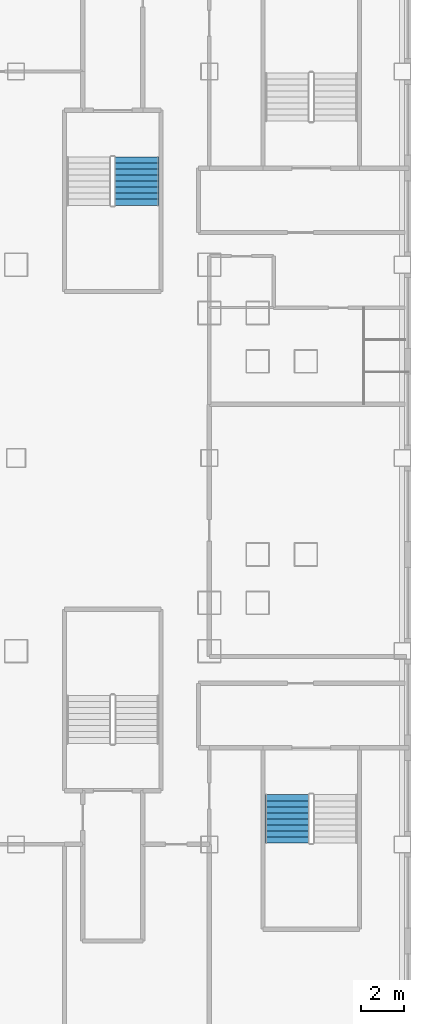
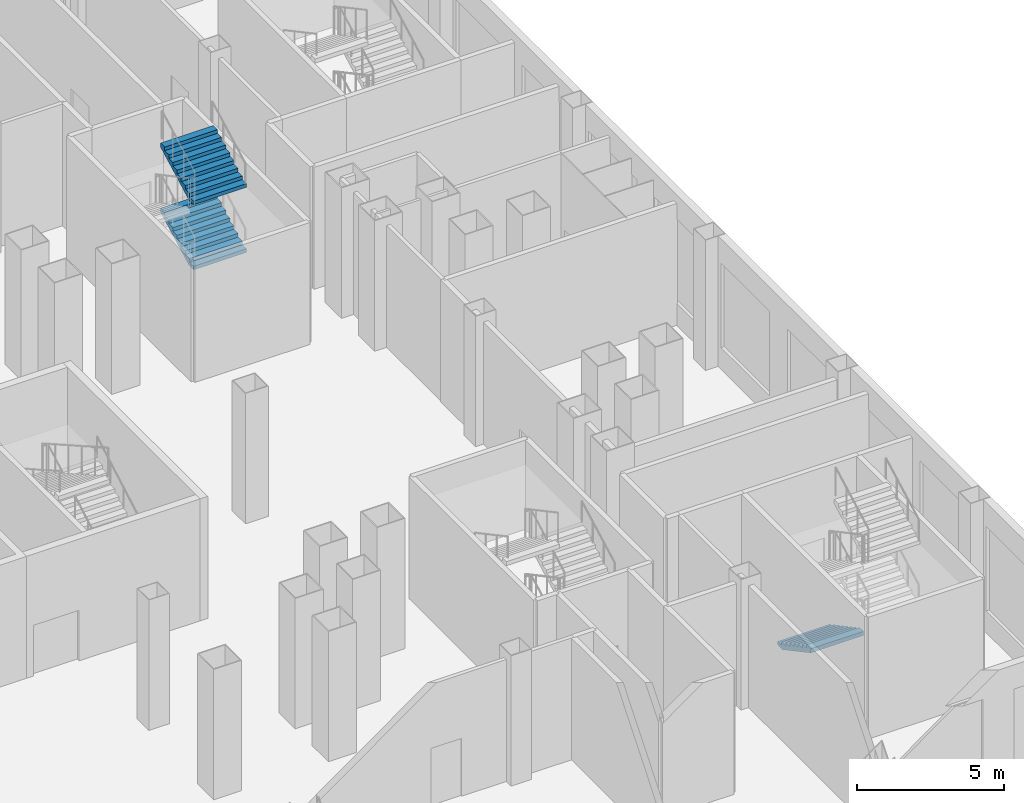
# One storey, part 18 of 26: 3 stair flights, 2 elements without a shape of their own.
"""IFC4 building model written with IfcOpenShell, lengths in metres."""

from ifc_helpers import new_model, si_unit, direction, frame, origin, place, context, subcontext, project, spatial, polygons, material, type_object, element, aggregate, save


model = new_model("IFC4")

# Units and contexts
model_context = context("Model", 3, precision=1e-05, world=origin(), true_north=direction((0.0, 1.0)))
body_context = subcontext(model_context, "Body", "Model", "MODEL_VIEW")
ifc_project = project(units=[si_unit("LENGTHUNIT", "METRE"), si_unit("AREAUNIT", "SQUARE_METRE"), si_unit("VOLUMEUNIT", "CUBIC_METRE"), si_unit("PLANEANGLEUNIT", "RADIAN"), si_unit("MASSUNIT", "GRAM", prefix="KILO")], contexts=[model_context])

# Site, building, storey
site_placement = place(None, origin())
site = spatial("IfcSite", under=ifc_project, at=site_placement, CompositionType="ELEMENT")
building_placement = place(site_placement, origin())
building = spatial("IfcBuilding", under=site, at=building_placement, Name="Caravel Reach Hotel and Residences", CompositionType="ELEMENT")
storey_placement = place(building_placement, frame((0.0, 0.0, 12.0)))
storey = spatial("IfcBuildingStorey", under=building, at=storey_placement, Name="L02", CompositionType="ELEMENT", Elevation=12.0)

# Stair, stair flights
ifc_material_1 = material(Name="Concrete C40", Category="concrete")
stair_type = type_object("IfcStairType", Name="Core stair", PredefinedType="HALF_TURN_STAIR", material=ifc_material_1)
stair_1_placement = place(storey_placement, origin())
stair_1 = element("IfcStair", 1, at=stair_1_placement, inside=storey, type_object=stair_type, Name="L02 Exit stair P2", PredefinedType="HALF_TURN_STAIR")
ifc_material_2 = material(Name="Concrete C40", Category="concrete")
stair_flight_type = type_object("IfcStairFlightType", Name="Core stair flight", PredefinedType="STRAIGHT", material=ifc_material_2)
stair_flight_1_placement = place(storey_placement, frame((55.110107421875, 38.77001953125, 1.35009765625), z_axis=(0.0, 0.0, 1.0), x_axis=(0.0, 1.0, 0.0)))
stair_flight_1 = element("IfcStairFlight", 2, at=stair_flight_1_placement, type_object=stair_flight_type, Name="ST-P2 flight 2", NumberOfRisers=9, NumberOfTreads=8, PredefinedType="STRAIGHT", RiserHeight=0.15, TreadLength=0.28, context=body_context, shape_type="Tessellation", body=[
    polygons([(0.3174408016601864, 1.0350341796875, 0.0), (0.3174408016601864, 0.6900227864583333, 0.0), (0.3174408016601864, 0.34501139322916663, 0.0), (0.3174408016601864, 0.0, 0.0), (0.3174408016601864, -0.34501139322916674, 0.0), (0.3174408016601864, -0.6900227864583333, 0.0), (0.3174408016601864, -1.0350341796875, 0.0), (2.241, 1.0350341796875, 1.029942427682043), (2.241, 0.6900227864583333, 1.029942427682043), (2.241, 0.34501139322916663, 1.029942427682043), (2.241, 0.0, 1.029942427682043), (2.241, -0.34501139322916674, 1.029942427682043), (2.241, -0.6900227864583333, 1.029942427682043), (2.241, -1.0350341796875, 1.029942427682043), (2.241, 1.0350341796875, 1.2), (2.241, 0.6900227864583333, 1.2), (2.241, 0.34501139322916663, 1.2), (2.241, 0.0, 1.2), (2.241, -0.34501139322916674, 1.2), (2.241, -0.6900227864583333, 1.2), (2.241, -1.0350341796875, 1.2), (1.9600000000000002, 1.0350341796875, 1.2), (1.9600000000000002, 0.6900227864583333, 1.2), (1.9600000000000002, 0.34501139322916663, 1.2), (1.9600000000000002, 0.0, 1.2), (1.9600000000000002, -0.34501139322916674, 1.2), (1.9600000000000002, -0.6900227864583333, 1.2), (1.9600000000000002, -1.0350341796875, 1.2), (1.9600000000000002, 1.0350341796875, 1.05), (1.9600000000000002, 0.6900227864583333, 1.05), (1.9600000000000002, 0.34501139322916663, 1.05), (1.9600000000000002, 0.0, 1.05), (1.9600000000000002, -0.34501139322916674, 1.05), (1.9600000000000002, -0.6900227864583333, 1.05), (1.9600000000000002, -1.0350341796875, 1.05), (1.6800000000000002, 1.0350341796875, 1.05), (1.6800000000000002, 0.6900227864583333, 1.05), (1.6800000000000002, 0.34501139322916663, 1.05), (1.6800000000000002, 0.0, 1.05), (1.6800000000000002, -0.34501139322916674, 1.05), (1.6800000000000002, -0.6900227864583333, 1.05), (1.6800000000000002, -1.0350341796875, 1.05), (1.6800000000000002, 1.0350341796875, 0.8999999999999999), (1.6800000000000002, 0.6900227864583333, 0.8999999999999999), (1.6800000000000002, 0.34501139322916663, 0.8999999999999999), (1.6800000000000002, 0.0, 0.8999999999999999), (1.6800000000000002, -0.34501139322916674, 0.8999999999999999), (1.6800000000000002, -0.6900227864583333, 0.8999999999999999), (1.6800000000000002, -1.0350341796875, 0.8999999999999999), (1.4000000000000001, 1.0350341796875, 0.8999999999999999), (1.4000000000000001, 0.6900227864583333, 0.8999999999999999), (1.4000000000000001, 0.34501139322916663, 0.8999999999999999), (1.4000000000000001, 0.0, 0.8999999999999999), (1.4000000000000001, -0.34501139322916674, 0.8999999999999999), (1.4000000000000001, -0.6900227864583333, 0.8999999999999999), (1.4000000000000001, -1.0350341796875, 0.8999999999999999), (1.4000000000000001, 1.0350341796875, 0.75), (1.4000000000000001, 0.6900227864583333, 0.75), (1.4000000000000001, 0.34501139322916663, 0.75), (1.4000000000000001, 0.0, 0.75), (1.4000000000000001, -0.34501139322916674, 0.75), (1.4000000000000001, -0.6900227864583333, 0.75), (1.4000000000000001, -1.0350341796875, 0.75), (1.12, 1.0350341796875, 0.75), (1.12, 0.6900227864583333, 0.75), (1.12, 0.34501139322916663, 0.75), (1.12, 0.0, 0.75), (1.12, -0.34501139322916674, 0.75), (1.12, -0.6900227864583333, 0.75), (1.12, -1.0350341796875, 0.75), (1.12, 1.0350341796875, 0.6), (1.12, 0.6900227864583333, 0.6), (1.12, 0.34501139322916663, 0.6), (1.12, 0.0, 0.6), (1.12, -0.34501139322916674, 0.6), (1.12, -0.6900227864583333, 0.6), (1.12, -1.0350341796875, 0.6), (0.8400000000000001, 1.0350341796875, 0.6), (0.8400000000000001, 0.6900227864583333, 0.6), (0.8400000000000001, 0.34501139322916663, 0.6), (0.8400000000000001, 0.0, 0.6), (0.8400000000000001, -0.34501139322916674, 0.6), (0.8400000000000001, -0.6900227864583333, 0.6), (0.8400000000000001, -1.0350341796875, 0.6), (0.8400000000000001, 1.0350341796875, 0.44999999999999996), (0.8400000000000001, 0.6900227864583333, 0.44999999999999996), (0.8400000000000001, 0.34501139322916663, 0.44999999999999996), (0.8400000000000001, 0.0, 0.44999999999999996), (0.8400000000000001, -0.34501139322916674, 0.44999999999999996), (0.8400000000000001, -0.6900227864583333, 0.44999999999999996), (0.8400000000000001, -1.0350341796875, 0.44999999999999996), (0.56, 1.0350341796875, 0.44999999999999996), (0.56, 0.6900227864583333, 0.44999999999999996), (0.56, 0.34501139322916663, 0.44999999999999996), (0.56, 0.0, 0.44999999999999996), (0.56, -0.34501139322916674, 0.44999999999999996), (0.56, -0.6900227864583333, 0.44999999999999996), (0.56, -1.0350341796875, 0.44999999999999996), (0.56, 1.0350341796875, 0.3), (0.56, 0.6900227864583333, 0.3), (0.56, 0.34501139322916663, 0.3), (0.56, 0.0, 0.3), (0.56, -0.34501139322916674, 0.3), (0.56, -0.6900227864583333, 0.3), (0.56, -1.0350341796875, 0.3), (0.28, 1.0350341796875, 0.3), (0.28, 0.6900227864583333, 0.3), (0.28, 0.34501139322916663, 0.3), (0.28, 0.0, 0.3), (0.28, -0.34501139322916674, 0.3), (0.28, -0.6900227864583333, 0.3), (0.28, -1.0350341796875, 0.3), (0.28, 1.0350341796875, 0.15), (0.28, 0.6900227864583333, 0.15), (0.28, 0.34501139322916663, 0.15), (0.28, 0.0, 0.15), (0.28, -0.34501139322916674, 0.15), (0.28, -0.6900227864583333, 0.15), (0.28, -1.0350341796875, 0.15), (-0.001, 1.0350341796875, 0.15), (-0.001, 0.6900227864583333, 0.15), (-0.001, 0.34501139322916663, 0.15), (-0.001, 0.0, 0.15), (-0.001, -0.34501139322916674, 0.15), (-0.001, -0.6900227864583333, 0.15), (-0.001, -1.0350341796875, 0.15), (-0.001, 1.0350341796875, 0.0), (-0.001, 0.6900227864583333, 0.0), (-0.001, 0.34501139322916663, 0.0), (-0.001, 0.0, 0.0), (-0.001, -0.34501139322916674, 0.0), (-0.001, -0.6900227864583333, 0.0), (-0.001, -1.0350341796875, 0.0)], [[[127, 120, 113, 106, 99, 92, 85, 78, 71, 64, 57, 50, 43, 36, 29, 22, 15, 8, 1]], [[7, 14, 21, 28, 35, 42, 49, 56, 63, 70, 77, 84, 91, 98, 105, 112, 119, 126, 133]], [[1, 8, 9, 2]], [[2, 9, 10, 3]], [[3, 10, 11, 4]], [[4, 11, 12, 5]], [[5, 12, 13, 6]], [[6, 13, 14, 7]], [[8, 15, 16, 9]], [[9, 16, 17, 10]], [[10, 17, 18, 11]], [[11, 18, 19, 12]], [[12, 19, 20, 13]], [[13, 20, 21, 14]], [[15, 22, 23, 16]], [[16, 23, 24, 17]], [[17, 24, 25, 18]], [[18, 25, 26, 19]], [[19, 26, 27, 20]], [[20, 27, 28, 21]], [[22, 29, 30, 23]], [[23, 30, 31, 24]], [[24, 31, 32, 25]], [[25, 32, 33, 26]], [[26, 33, 34, 27]], [[27, 34, 35, 28]], [[29, 36, 37, 30]], [[30, 37, 38, 31]], [[31, 38, 39, 32]], [[32, 39, 40, 33]], [[33, 40, 41, 34]], [[34, 41, 42, 35]], [[36, 43, 44, 37]], [[37, 44, 45, 38]], [[38, 45, 46, 39]], [[39, 46, 47, 40]], [[40, 47, 48, 41]], [[41, 48, 49, 42]], [[43, 50, 51, 44]], [[44, 51, 52, 45]], [[45, 52, 53, 46]], [[46, 53, 54, 47]], [[47, 54, 55, 48]], [[48, 55, 56, 49]], [[50, 57, 58, 51]], [[51, 58, 59, 52]], [[52, 59, 60, 53]], [[53, 60, 61, 54]], [[54, 61, 62, 55]], [[55, 62, 63, 56]], [[57, 64, 65, 58]], [[58, 65, 66, 59]], [[59, 66, 67, 60]], [[60, 67, 68, 61]], [[61, 68, 69, 62]], [[62, 69, 70, 63]], [[64, 71, 72, 65]], [[65, 72, 73, 66]], [[66, 73, 74, 67]], [[67, 74, 75, 68]], [[68, 75, 76, 69]], [[69, 76, 77, 70]], [[71, 78, 79, 72]], [[72, 79, 80, 73]], [[73, 80, 81, 74]], [[74, 81, 82, 75]], [[75, 82, 83, 76]], [[76, 83, 84, 77]], [[78, 85, 86, 79]], [[79, 86, 87, 80]], [[80, 87, 88, 81]], [[81, 88, 89, 82]], [[82, 89, 90, 83]], [[83, 90, 91, 84]], [[85, 92, 93, 86]], [[86, 93, 94, 87]], [[87, 94, 95, 88]], [[88, 95, 96, 89]], [[89, 96, 97, 90]], [[90, 97, 98, 91]], [[92, 99, 100, 93]], [[93, 100, 101, 94]], [[94, 101, 102, 95]], [[95, 102, 103, 96]], [[96, 103, 104, 97]], [[97, 104, 105, 98]], [[99, 106, 107, 100]], [[100, 107, 108, 101]], [[101, 108, 109, 102]], [[102, 109, 110, 103]], [[103, 110, 111, 104]], [[104, 111, 112, 105]], [[106, 113, 114, 107]], [[107, 114, 115, 108]], [[108, 115, 116, 109]], [[109, 116, 117, 110]], [[110, 117, 118, 111]], [[111, 118, 119, 112]], [[113, 120, 121, 114]], [[114, 121, 122, 115]], [[115, 122, 123, 116]], [[116, 123, 124, 117]], [[117, 124, 125, 118]], [[118, 125, 126, 119]], [[120, 127, 128, 121]], [[121, 128, 129, 122]], [[122, 129, 130, 123]], [[123, 130, 131, 124]], [[124, 131, 132, 125]], [[125, 132, 133, 126]], [[127, 1, 2, 128]], [[128, 2, 3, 129]], [[129, 3, 4, 130]], [[130, 4, 5, 131]], [[131, 5, 6, 132]], [[132, 6, 7, 133]]], closed=True),
])
stair_flight_2_placement = place(storey_placement, frame((55.110107421875, 38.77001953125, 4.050048828125), z_axis=(0.0, 0.0, 1.0), x_axis=(0.0, 1.0, 0.0)))
stair_flight_2 = element("IfcStairFlight", 3, at=stair_flight_2_placement, type_object=stair_flight_type, Name="ST-P2 flight 4", NumberOfRisers=9, NumberOfTreads=8, PredefinedType="STRAIGHT", RiserHeight=0.15, TreadLength=0.28, context=body_context, shape_type="Tessellation", body=[
    polygons([(0.3174408016601864, 1.0350341796875, 0.0), (0.3174408016601864, 0.6900227864583333, 0.0), (0.3174408016601864, 0.34501139322916663, 0.0), (0.3174408016601864, 0.0, 0.0), (0.3174408016601864, -0.34501139322916674, 0.0), (0.3174408016601864, -0.6900227864583333, 0.0), (0.3174408016601864, -1.0350341796875, 0.0), (2.241, 1.0350341796875, 1.029942427682043), (2.241, 0.6900227864583333, 1.029942427682043), (2.241, 0.34501139322916663, 1.029942427682043), (2.241, 0.0, 1.029942427682043), (2.241, -0.34501139322916674, 1.029942427682043), (2.241, -0.6900227864583333, 1.029942427682043), (2.241, -1.0350341796875, 1.029942427682043), (2.241, 1.0350341796875, 1.2), (2.241, 0.6900227864583333, 1.2), (2.241, 0.34501139322916663, 1.2), (2.241, 0.0, 1.2), (2.241, -0.34501139322916674, 1.2), (2.241, -0.6900227864583333, 1.2), (2.241, -1.0350341796875, 1.2), (1.9600000000000002, 1.0350341796875, 1.2), (1.9600000000000002, 0.6900227864583333, 1.2), (1.9600000000000002, 0.34501139322916663, 1.2), (1.9600000000000002, 0.0, 1.2), (1.9600000000000002, -0.34501139322916674, 1.2), (1.9600000000000002, -0.6900227864583333, 1.2), (1.9600000000000002, -1.0350341796875, 1.2), (1.9600000000000002, 1.0350341796875, 1.05), (1.9600000000000002, 0.6900227864583333, 1.05), (1.9600000000000002, 0.34501139322916663, 1.05), (1.9600000000000002, 0.0, 1.05), (1.9600000000000002, -0.34501139322916674, 1.05), (1.9600000000000002, -0.6900227864583333, 1.05), (1.9600000000000002, -1.0350341796875, 1.05), (1.6800000000000002, 1.0350341796875, 1.05), (1.6800000000000002, 0.6900227864583333, 1.05), (1.6800000000000002, 0.34501139322916663, 1.05), (1.6800000000000002, 0.0, 1.05), (1.6800000000000002, -0.34501139322916674, 1.05), (1.6800000000000002, -0.6900227864583333, 1.05), (1.6800000000000002, -1.0350341796875, 1.05), (1.6800000000000002, 1.0350341796875, 0.8999999999999999), (1.6800000000000002, 0.6900227864583333, 0.8999999999999999), (1.6800000000000002, 0.34501139322916663, 0.8999999999999999), (1.6800000000000002, 0.0, 0.8999999999999999), (1.6800000000000002, -0.34501139322916674, 0.8999999999999999), (1.6800000000000002, -0.6900227864583333, 0.8999999999999999), (1.6800000000000002, -1.0350341796875, 0.8999999999999999), (1.4000000000000001, 1.0350341796875, 0.8999999999999999), (1.4000000000000001, 0.6900227864583333, 0.8999999999999999), (1.4000000000000001, 0.34501139322916663, 0.8999999999999999), (1.4000000000000001, 0.0, 0.8999999999999999), (1.4000000000000001, -0.34501139322916674, 0.8999999999999999), (1.4000000000000001, -0.6900227864583333, 0.8999999999999999), (1.4000000000000001, -1.0350341796875, 0.8999999999999999), (1.4000000000000001, 1.0350341796875, 0.75), (1.4000000000000001, 0.6900227864583333, 0.75), (1.4000000000000001, 0.34501139322916663, 0.75), (1.4000000000000001, 0.0, 0.75), (1.4000000000000001, -0.34501139322916674, 0.75), (1.4000000000000001, -0.6900227864583333, 0.75), (1.4000000000000001, -1.0350341796875, 0.75), (1.12, 1.0350341796875, 0.75), (1.12, 0.6900227864583333, 0.75), (1.12, 0.34501139322916663, 0.75), (1.12, 0.0, 0.75), (1.12, -0.34501139322916674, 0.75), (1.12, -0.6900227864583333, 0.75), (1.12, -1.0350341796875, 0.75), (1.12, 1.0350341796875, 0.6), (1.12, 0.6900227864583333, 0.6), (1.12, 0.34501139322916663, 0.6), (1.12, 0.0, 0.6), (1.12, -0.34501139322916674, 0.6), (1.12, -0.6900227864583333, 0.6), (1.12, -1.0350341796875, 0.6), (0.8400000000000001, 1.0350341796875, 0.6), (0.8400000000000001, 0.6900227864583333, 0.6), (0.8400000000000001, 0.34501139322916663, 0.6), (0.8400000000000001, 0.0, 0.6), (0.8400000000000001, -0.34501139322916674, 0.6), (0.8400000000000001, -0.6900227864583333, 0.6), (0.8400000000000001, -1.0350341796875, 0.6), (0.8400000000000001, 1.0350341796875, 0.44999999999999996), (0.8400000000000001, 0.6900227864583333, 0.44999999999999996), (0.8400000000000001, 0.34501139322916663, 0.44999999999999996), (0.8400000000000001, 0.0, 0.44999999999999996), (0.8400000000000001, -0.34501139322916674, 0.44999999999999996), (0.8400000000000001, -0.6900227864583333, 0.44999999999999996), (0.8400000000000001, -1.0350341796875, 0.44999999999999996), (0.56, 1.0350341796875, 0.44999999999999996), (0.56, 0.6900227864583333, 0.44999999999999996), (0.56, 0.34501139322916663, 0.44999999999999996), (0.56, 0.0, 0.44999999999999996), (0.56, -0.34501139322916674, 0.44999999999999996), (0.56, -0.6900227864583333, 0.44999999999999996), (0.56, -1.0350341796875, 0.44999999999999996), (0.56, 1.0350341796875, 0.3), (0.56, 0.6900227864583333, 0.3), (0.56, 0.34501139322916663, 0.3), (0.56, 0.0, 0.3), (0.56, -0.34501139322916674, 0.3), (0.56, -0.6900227864583333, 0.3), (0.56, -1.0350341796875, 0.3), (0.28, 1.0350341796875, 0.3), (0.28, 0.6900227864583333, 0.3), (0.28, 0.34501139322916663, 0.3), (0.28, 0.0, 0.3), (0.28, -0.34501139322916674, 0.3), (0.28, -0.6900227864583333, 0.3), (0.28, -1.0350341796875, 0.3), (0.28, 1.0350341796875, 0.15), (0.28, 0.6900227864583333, 0.15), (0.28, 0.34501139322916663, 0.15), (0.28, 0.0, 0.15), (0.28, -0.34501139322916674, 0.15), (0.28, -0.6900227864583333, 0.15), (0.28, -1.0350341796875, 0.15), (-0.001, 1.0350341796875, 0.15), (-0.001, 0.6900227864583333, 0.15), (-0.001, 0.34501139322916663, 0.15), (-0.001, 0.0, 0.15), (-0.001, -0.34501139322916674, 0.15), (-0.001, -0.6900227864583333, 0.15), (-0.001, -1.0350341796875, 0.15), (-0.001, 1.0350341796875, 0.0), (-0.001, 0.6900227864583333, 0.0), (-0.001, 0.34501139322916663, 0.0), (-0.001, 0.0, 0.0), (-0.001, -0.34501139322916674, 0.0), (-0.001, -0.6900227864583333, 0.0), (-0.001, -1.0350341796875, 0.0)], [[[127, 120, 113, 106, 99, 92, 85, 78, 71, 64, 57, 50, 43, 36, 29, 22, 15, 8, 1]], [[7, 14, 21, 28, 35, 42, 49, 56, 63, 70, 77, 84, 91, 98, 105, 112, 119, 126, 133]], [[1, 8, 9, 2]], [[2, 9, 10, 3]], [[3, 10, 11, 4]], [[4, 11, 12, 5]], [[5, 12, 13, 6]], [[6, 13, 14, 7]], [[8, 15, 16, 9]], [[9, 16, 17, 10]], [[10, 17, 18, 11]], [[11, 18, 19, 12]], [[12, 19, 20, 13]], [[13, 20, 21, 14]], [[15, 22, 23, 16]], [[16, 23, 24, 17]], [[17, 24, 25, 18]], [[18, 25, 26, 19]], [[19, 26, 27, 20]], [[20, 27, 28, 21]], [[22, 29, 30, 23]], [[23, 30, 31, 24]], [[24, 31, 32, 25]], [[25, 32, 33, 26]], [[26, 33, 34, 27]], [[27, 34, 35, 28]], [[29, 36, 37, 30]], [[30, 37, 38, 31]], [[31, 38, 39, 32]], [[32, 39, 40, 33]], [[33, 40, 41, 34]], [[34, 41, 42, 35]], [[36, 43, 44, 37]], [[37, 44, 45, 38]], [[38, 45, 46, 39]], [[39, 46, 47, 40]], [[40, 47, 48, 41]], [[41, 48, 49, 42]], [[43, 50, 51, 44]], [[44, 51, 52, 45]], [[45, 52, 53, 46]], [[46, 53, 54, 47]], [[47, 54, 55, 48]], [[48, 55, 56, 49]], [[50, 57, 58, 51]], [[51, 58, 59, 52]], [[52, 59, 60, 53]], [[53, 60, 61, 54]], [[54, 61, 62, 55]], [[55, 62, 63, 56]], [[57, 64, 65, 58]], [[58, 65, 66, 59]], [[59, 66, 67, 60]], [[60, 67, 68, 61]], [[61, 68, 69, 62]], [[62, 69, 70, 63]], [[64, 71, 72, 65]], [[65, 72, 73, 66]], [[66, 73, 74, 67]], [[67, 74, 75, 68]], [[68, 75, 76, 69]], [[69, 76, 77, 70]], [[71, 78, 79, 72]], [[72, 79, 80, 73]], [[73, 80, 81, 74]], [[74, 81, 82, 75]], [[75, 82, 83, 76]], [[76, 83, 84, 77]], [[78, 85, 86, 79]], [[79, 86, 87, 80]], [[80, 87, 88, 81]], [[81, 88, 89, 82]], [[82, 89, 90, 83]], [[83, 90, 91, 84]], [[85, 92, 93, 86]], [[86, 93, 94, 87]], [[87, 94, 95, 88]], [[88, 95, 96, 89]], [[89, 96, 97, 90]], [[90, 97, 98, 91]], [[92, 99, 100, 93]], [[93, 100, 101, 94]], [[94, 101, 102, 95]], [[95, 102, 103, 96]], [[96, 103, 104, 97]], [[97, 104, 105, 98]], [[99, 106, 107, 100]], [[100, 107, 108, 101]], [[101, 108, 109, 102]], [[102, 109, 110, 103]], [[103, 110, 111, 104]], [[104, 111, 112, 105]], [[106, 113, 114, 107]], [[107, 114, 115, 108]], [[108, 115, 116, 109]], [[109, 116, 117, 110]], [[110, 117, 118, 111]], [[111, 118, 119, 112]], [[113, 120, 121, 114]], [[114, 121, 122, 115]], [[115, 122, 123, 116]], [[116, 123, 124, 117]], [[117, 124, 125, 118]], [[118, 125, 126, 119]], [[120, 127, 128, 121]], [[121, 128, 129, 122]], [[122, 129, 130, 123]], [[123, 130, 131, 124]], [[124, 131, 132, 125]], [[125, 132, 133, 126]], [[127, 1, 2, 128]], [[128, 2, 3, 129]], [[129, 3, 4, 130]], [[130, 4, 5, 131]], [[131, 5, 6, 132]], [[132, 6, 7, 133]]], closed=True),
])
aggregate(stair_1, [stair_flight_1, stair_flight_2])

# Stair, stair flight
stair_2_placement = place(storey_placement, origin())
stair_2 = element("IfcStair", 4, at=stair_2_placement, inside=storey, type_object=stair_type, Name="L02 Exit stair P7", PredefinedType="HALF_TURN_STAIR")
stair_flight_3_placement = place(storey_placement, frame((62.139892578125, 11.31005859375, 0.0), z_axis=(0.0, 0.0, 1.0), x_axis=(0.0, -1.0, 0.0)))
stair_flight_3 = element("IfcStairFlight", 5, at=stair_flight_3_placement, type_object=stair_flight_type, Name="ST-P7 flight 1", NumberOfRisers=9, NumberOfTreads=8, PredefinedType="STRAIGHT", RiserHeight=0.15, TreadLength=0.28, context=body_context, shape_type="Tessellation", body=[
    polygons([(0.3174408016601864, 1.0350341796875, 0.0), (0.3174408016601864, 0.6900227864583333, 0.0), (0.3174408016601864, 0.34501139322916663, 0.0), (0.3174408016601864, 0.0, 0.0), (0.3174408016601864, -0.34501139322916674, 0.0), (0.3174408016601864, -0.6900227864583333, 0.0), (0.3174408016601864, -1.0350341796875, 0.0), (2.241, 1.0350341796875, 1.029942427682043), (2.241, 0.6900227864583333, 1.029942427682043), (2.241, 0.34501139322916663, 1.029942427682043), (2.241, 0.0, 1.029942427682043), (2.241, -0.34501139322916674, 1.029942427682043), (2.241, -0.6900227864583333, 1.029942427682043), (2.241, -1.0350341796875, 1.029942427682043), (2.241, 1.0350341796875, 1.2), (2.241, 0.6900227864583333, 1.2), (2.241, 0.34501139322916663, 1.2), (2.241, 0.0, 1.2), (2.241, -0.34501139322916674, 1.2), (2.241, -0.6900227864583333, 1.2), (2.241, -1.0350341796875, 1.2), (1.9600000000000002, 1.0350341796875, 1.2), (1.9600000000000002, 0.6900227864583333, 1.2), (1.9600000000000002, 0.34501139322916663, 1.2), (1.9600000000000002, 0.0, 1.2), (1.9600000000000002, -0.34501139322916674, 1.2), (1.9600000000000002, -0.6900227864583333, 1.2), (1.9600000000000002, -1.0350341796875, 1.2), (1.9600000000000002, 1.0350341796875, 1.05), (1.9600000000000002, 0.6900227864583333, 1.05), (1.9600000000000002, 0.34501139322916663, 1.05), (1.9600000000000002, 0.0, 1.05), (1.9600000000000002, -0.34501139322916674, 1.05), (1.9600000000000002, -0.6900227864583333, 1.05), (1.9600000000000002, -1.0350341796875, 1.05), (1.6800000000000002, 1.0350341796875, 1.05), (1.6800000000000002, 0.6900227864583333, 1.05), (1.6800000000000002, 0.34501139322916663, 1.05), (1.6800000000000002, 0.0, 1.05), (1.6800000000000002, -0.34501139322916674, 1.05), (1.6800000000000002, -0.6900227864583333, 1.05), (1.6800000000000002, -1.0350341796875, 1.05), (1.6800000000000002, 1.0350341796875, 0.8999999999999999), (1.6800000000000002, 0.6900227864583333, 0.8999999999999999), (1.6800000000000002, 0.34501139322916663, 0.8999999999999999), (1.6800000000000002, 0.0, 0.8999999999999999), (1.6800000000000002, -0.34501139322916674, 0.8999999999999999), (1.6800000000000002, -0.6900227864583333, 0.8999999999999999), (1.6800000000000002, -1.0350341796875, 0.8999999999999999), (1.4000000000000001, 1.0350341796875, 0.8999999999999999), (1.4000000000000001, 0.6900227864583333, 0.8999999999999999), (1.4000000000000001, 0.34501139322916663, 0.8999999999999999), (1.4000000000000001, 0.0, 0.8999999999999999), (1.4000000000000001, -0.34501139322916674, 0.8999999999999999), (1.4000000000000001, -0.6900227864583333, 0.8999999999999999), (1.4000000000000001, -1.0350341796875, 0.8999999999999999), (1.4000000000000001, 1.0350341796875, 0.75), (1.4000000000000001, 0.6900227864583333, 0.75), (1.4000000000000001, 0.34501139322916663, 0.75), (1.4000000000000001, 0.0, 0.75), (1.4000000000000001, -0.34501139322916674, 0.75), (1.4000000000000001, -0.6900227864583333, 0.75), (1.4000000000000001, -1.0350341796875, 0.75), (1.12, 1.0350341796875, 0.75), (1.12, 0.6900227864583333, 0.75), (1.12, 0.34501139322916663, 0.75), (1.12, 0.0, 0.75), (1.12, -0.34501139322916674, 0.75), (1.12, -0.6900227864583333, 0.75), (1.12, -1.0350341796875, 0.75), (1.12, 1.0350341796875, 0.6), (1.12, 0.6900227864583333, 0.6), (1.12, 0.34501139322916663, 0.6), (1.12, 0.0, 0.6), (1.12, -0.34501139322916674, 0.6), (1.12, -0.6900227864583333, 0.6), (1.12, -1.0350341796875, 0.6), (0.8400000000000001, 1.0350341796875, 0.6), (0.8400000000000001, 0.6900227864583333, 0.6), (0.8400000000000001, 0.34501139322916663, 0.6), (0.8400000000000001, 0.0, 0.6), (0.8400000000000001, -0.34501139322916674, 0.6), (0.8400000000000001, -0.6900227864583333, 0.6), (0.8400000000000001, -1.0350341796875, 0.6), (0.8400000000000001, 1.0350341796875, 0.44999999999999996), (0.8400000000000001, 0.6900227864583333, 0.44999999999999996), (0.8400000000000001, 0.34501139322916663, 0.44999999999999996), (0.8400000000000001, 0.0, 0.44999999999999996), (0.8400000000000001, -0.34501139322916674, 0.44999999999999996), (0.8400000000000001, -0.6900227864583333, 0.44999999999999996), (0.8400000000000001, -1.0350341796875, 0.44999999999999996), (0.56, 1.0350341796875, 0.44999999999999996), (0.56, 0.6900227864583333, 0.44999999999999996), (0.56, 0.34501139322916663, 0.44999999999999996), (0.56, 0.0, 0.44999999999999996), (0.56, -0.34501139322916674, 0.44999999999999996), (0.56, -0.6900227864583333, 0.44999999999999996), (0.56, -1.0350341796875, 0.44999999999999996), (0.56, 1.0350341796875, 0.3), (0.56, 0.6900227864583333, 0.3), (0.56, 0.34501139322916663, 0.3), (0.56, 0.0, 0.3), (0.56, -0.34501139322916674, 0.3), (0.56, -0.6900227864583333, 0.3), (0.56, -1.0350341796875, 0.3), (0.28, 1.0350341796875, 0.3), (0.28, 0.6900227864583333, 0.3), (0.28, 0.34501139322916663, 0.3), (0.28, 0.0, 0.3), (0.28, -0.34501139322916674, 0.3), (0.28, -0.6900227864583333, 0.3), (0.28, -1.0350341796875, 0.3), (0.28, 1.0350341796875, 0.15), (0.28, 0.6900227864583333, 0.15), (0.28, 0.34501139322916663, 0.15), (0.28, 0.0, 0.15), (0.28, -0.34501139322916674, 0.15), (0.28, -0.6900227864583333, 0.15), (0.28, -1.0350341796875, 0.15), (-0.001, 1.0350341796875, 0.15), (-0.001, 0.6900227864583333, 0.15), (-0.001, 0.34501139322916663, 0.15), (-0.001, 0.0, 0.15), (-0.001, -0.34501139322916674, 0.15), (-0.001, -0.6900227864583333, 0.15), (-0.001, -1.0350341796875, 0.15), (-0.001, 1.0350341796875, 0.0), (-0.001, 0.6900227864583333, 0.0), (-0.001, 0.34501139322916663, 0.0), (-0.001, 0.0, 0.0), (-0.001, -0.34501139322916674, 0.0), (-0.001, -0.6900227864583333, 0.0), (-0.001, -1.0350341796875, 0.0)], [[[127, 120, 113, 106, 99, 92, 85, 78, 71, 64, 57, 50, 43, 36, 29, 22, 15, 8, 1]], [[7, 14, 21, 28, 35, 42, 49, 56, 63, 70, 77, 84, 91, 98, 105, 112, 119, 126, 133]], [[1, 8, 9, 2]], [[2, 9, 10, 3]], [[3, 10, 11, 4]], [[4, 11, 12, 5]], [[5, 12, 13, 6]], [[6, 13, 14, 7]], [[8, 15, 16, 9]], [[9, 16, 17, 10]], [[10, 17, 18, 11]], [[11, 18, 19, 12]], [[12, 19, 20, 13]], [[13, 20, 21, 14]], [[15, 22, 23, 16]], [[16, 23, 24, 17]], [[17, 24, 25, 18]], [[18, 25, 26, 19]], [[19, 26, 27, 20]], [[20, 27, 28, 21]], [[22, 29, 30, 23]], [[23, 30, 31, 24]], [[24, 31, 32, 25]], [[25, 32, 33, 26]], [[26, 33, 34, 27]], [[27, 34, 35, 28]], [[29, 36, 37, 30]], [[30, 37, 38, 31]], [[31, 38, 39, 32]], [[32, 39, 40, 33]], [[33, 40, 41, 34]], [[34, 41, 42, 35]], [[36, 43, 44, 37]], [[37, 44, 45, 38]], [[38, 45, 46, 39]], [[39, 46, 47, 40]], [[40, 47, 48, 41]], [[41, 48, 49, 42]], [[43, 50, 51, 44]], [[44, 51, 52, 45]], [[45, 52, 53, 46]], [[46, 53, 54, 47]], [[47, 54, 55, 48]], [[48, 55, 56, 49]], [[50, 57, 58, 51]], [[51, 58, 59, 52]], [[52, 59, 60, 53]], [[53, 60, 61, 54]], [[54, 61, 62, 55]], [[55, 62, 63, 56]], [[57, 64, 65, 58]], [[58, 65, 66, 59]], [[59, 66, 67, 60]], [[60, 67, 68, 61]], [[61, 68, 69, 62]], [[62, 69, 70, 63]], [[64, 71, 72, 65]], [[65, 72, 73, 66]], [[66, 73, 74, 67]], [[67, 74, 75, 68]], [[68, 75, 76, 69]], [[69, 76, 77, 70]], [[71, 78, 79, 72]], [[72, 79, 80, 73]], [[73, 80, 81, 74]], [[74, 81, 82, 75]], [[75, 82, 83, 76]], [[76, 83, 84, 77]], [[78, 85, 86, 79]], [[79, 86, 87, 80]], [[80, 87, 88, 81]], [[81, 88, 89, 82]], [[82, 89, 90, 83]], [[83, 90, 91, 84]], [[85, 92, 93, 86]], [[86, 93, 94, 87]], [[87, 94, 95, 88]], [[88, 95, 96, 89]], [[89, 96, 97, 90]], [[90, 97, 98, 91]], [[92, 99, 100, 93]], [[93, 100, 101, 94]], [[94, 101, 102, 95]], [[95, 102, 103, 96]], [[96, 103, 104, 97]], [[97, 104, 105, 98]], [[99, 106, 107, 100]], [[100, 107, 108, 101]], [[101, 108, 109, 102]], [[102, 109, 110, 103]], [[103, 110, 111, 104]], [[104, 111, 112, 105]], [[106, 113, 114, 107]], [[107, 114, 115, 108]], [[108, 115, 116, 109]], [[109, 116, 117, 110]], [[110, 117, 118, 111]], [[111, 118, 119, 112]], [[113, 120, 121, 114]], [[114, 121, 122, 115]], [[115, 122, 123, 116]], [[116, 123, 124, 117]], [[117, 124, 125, 118]], [[118, 125, 126, 119]], [[120, 127, 128, 121]], [[121, 128, 129, 122]], [[122, 129, 130, 123]], [[123, 130, 131, 124]], [[124, 131, 132, 125]], [[125, 132, 133, 126]], [[127, 1, 2, 128]], [[128, 2, 3, 129]], [[129, 3, 4, 130]], [[130, 4, 5, 131]], [[131, 5, 6, 132]], [[132, 6, 7, 133]]], closed=True),
])
aggregate(stair_2, [stair_flight_3])

save(model, "model.ifc")
